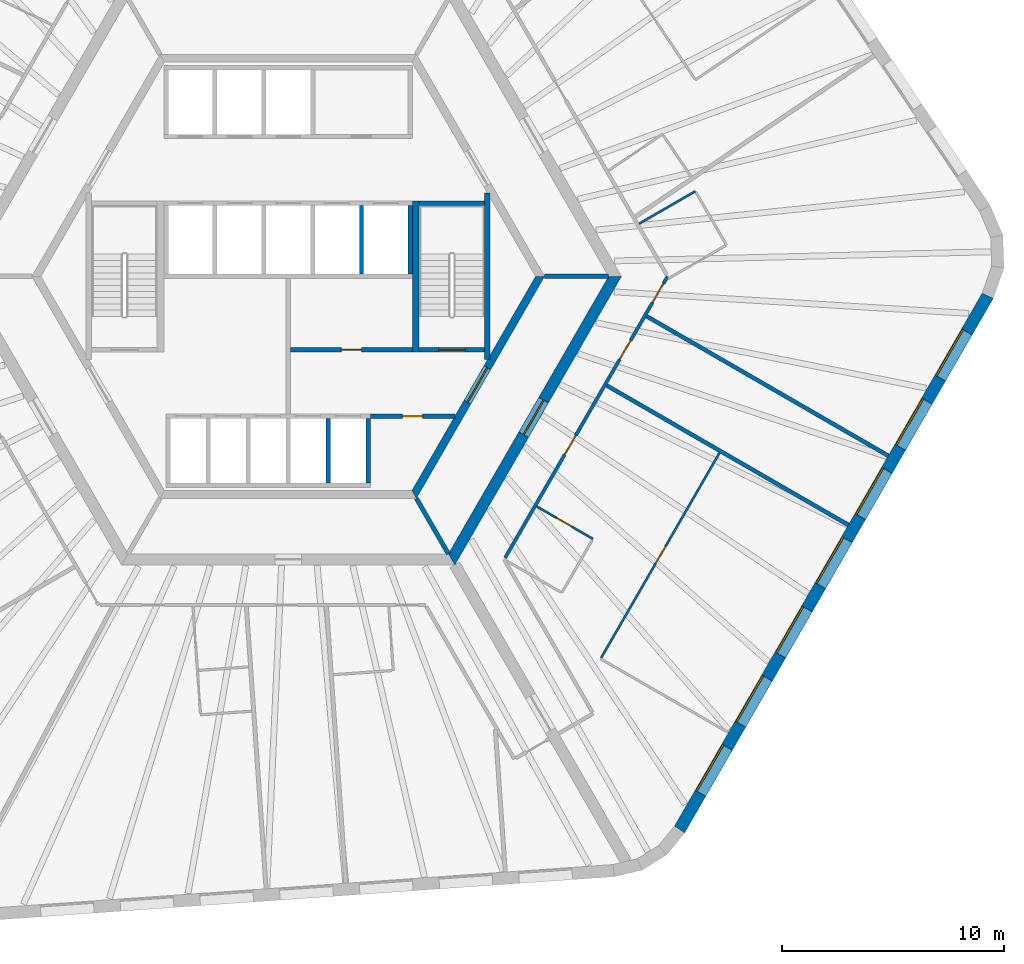
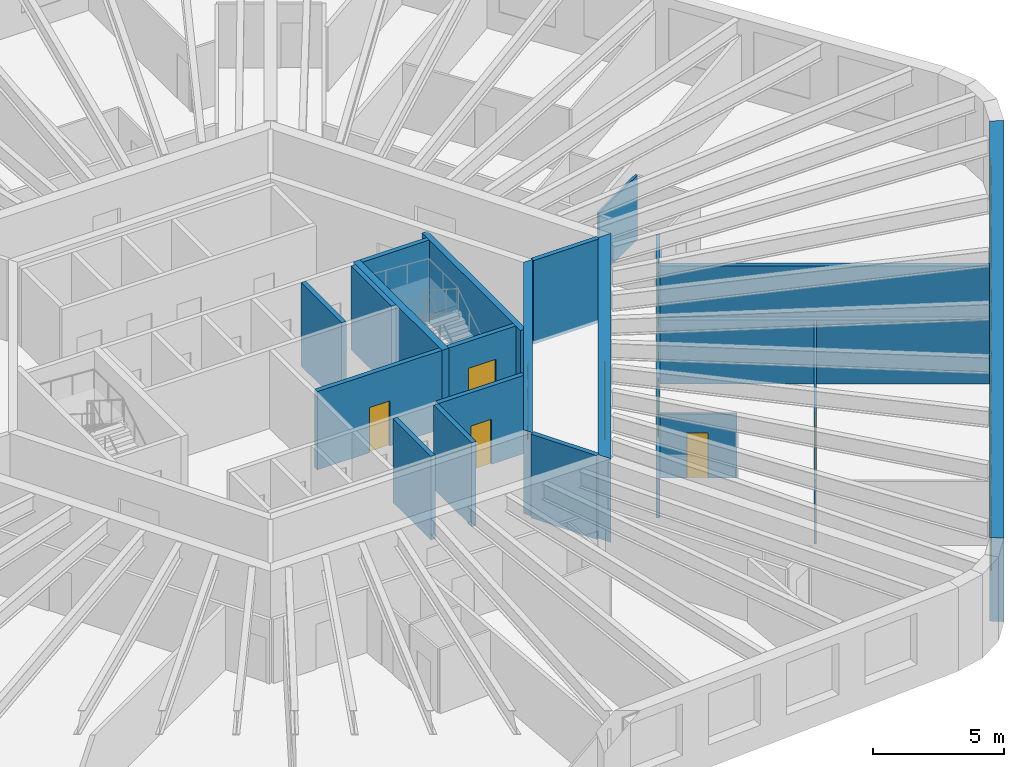
# One storey, part 5 of 9: 21 walls, 10 doors, 7 windows, 17 openings.
"""IFC4 building model written with IfcOpenShell, lengths in metres."""

import ifcopenshell
import ifcopenshell.guid

model = None  # the IFC model being written
_history = None  # IfcOwnerHistory: only IFC2X3 demands one
_inside = {}  # id of a spatial element -> (the spatial element, [elements in it])
_under = {}  # id of a project, library or spatial element -> (it, [spatial elements below it])
_declared = {}  # id of a project -> (the project, [libraries it declares])
_typed = {}  # id of a type object -> (the type object, [elements of that type])
_made_of = {}  # id of a material, layer set ... -> (it, [elements and type objects made of it])


def new_model(schema):
    """Start an empty IFC model of exactly this schema.

    Asked for "IFC4X3", IfcOpenShell would pick the latest addendum, in which some entities
    have other attributes; the version numbers below select the first issue.
    IFC2X3 requires an IfcOwnerHistory on every rooted entity: one is made here for all.
    """
    global model, _history
    if schema == "IFC4X3":
        model = ifcopenshell.file(schema_version=(4, 3, 0, 0))
    else:
        model = ifcopenshell.file(schema=schema)
    _inside.clear()
    _under.clear()
    _declared.clear()
    _typed.clear()
    _made_of.clear()
    _history = None
    if model.schema == "IFC2X3":
        org = make("IfcOrganization", Name="unknown")
        user = make(
            "IfcPersonAndOrganization",
            ThePerson=make("IfcPerson", FamilyName="unknown"),
            TheOrganization=org,
        )
        app = make(
            "IfcApplication",
            ApplicationDeveloper=org,
            Version="unknown",
            ApplicationFullName="unknown",
            ApplicationIdentifier="unknown",
        )
        _history = make(
            "IfcOwnerHistory",
            OwningUser=user,
            OwningApplication=app,
            ChangeAction="ADDED",
            CreationDate=0,
        )
    return model


def make(cls, **values):
    """One entity of the class cls with the attributes given. An attribute that is None is left unset."""
    return model.create_entity(
        cls, **{name: value for name, value in values.items() if value is not None}
    )


def rooted(cls, **values):
    """An entity with a GlobalId (a new one), such as an element, a storey or a relation."""
    return make(cls, GlobalId=ifcopenshell.guid.new(), OwnerHistory=_history, **values)


def si_unit(unit_type, name, prefix=None):
    """IfcSIUnit, for example si_unit("LENGTHUNIT", "METRE", prefix="MILLI")."""
    return make("IfcSIUnit", UnitType=unit_type, Prefix=prefix, Name=name)


def assignment(units):
    """IfcUnitAssignment: the units of a project."""
    return None if units is None else make("IfcUnitAssignment", Units=units)


def point(xyz):
    """IfcCartesianPoint."""
    return None if xyz is None else make("IfcCartesianPoint", Coordinates=xyz)


def direction(xyz):
    """IfcDirection."""
    return None if xyz is None else make("IfcDirection", DirectionRatios=xyz)


def frame(location, z_axis=None, x_axis=None):
    """IfcAxis2Placement3D, a coordinate frame: its origin and axes. An axis left out is left unset."""
    return make(
        "IfcAxis2Placement3D",
        Location=point(location),
        Axis=direction(z_axis),
        RefDirection=direction(x_axis),
    )


def frame_2d(location, x_axis=None):
    """IfcAxis2Placement2D, a coordinate frame in the plane: its origin and x axis."""
    return make(
        "IfcAxis2Placement2D", Location=point(location), RefDirection=direction(x_axis)
    )


def origin():
    """The frame at (0, 0, 0) with its axes left unset."""
    return frame((0.0, 0.0, 0.0))


def place(relative_to, where):
    """IfcLocalPlacement: puts the frame where relative to a parent placement (None: the world)."""
    return make(
        "IfcLocalPlacement", PlacementRelTo=relative_to, RelativePlacement=where
    )


def context(
    kind, dimensions, precision=None, world=None, true_north=None, identifier=None
):
    """IfcGeometricRepresentationContext, for example the 3D "Model" context."""
    return make(
        "IfcGeometricRepresentationContext",
        ContextIdentifier=identifier,
        ContextType=kind,
        CoordinateSpaceDimension=dimensions,
        Precision=precision,
        WorldCoordinateSystem=world,
        TrueNorth=true_north,
    )


def subcontext(parent, identifier, kind, view, scale=None):
    """IfcGeometricRepresentationSubContext, for example "Body" below "Model"."""
    return make(
        "IfcGeometricRepresentationSubContext",
        ContextIdentifier=identifier,
        ContextType=kind,
        ParentContext=parent,
        TargetScale=scale,
        TargetView=view,
    )


def project(units=None, contexts=None):
    """IfcProject with its units and contexts."""
    return rooted(
        "IfcProject",
        Name="project",
        RepresentationContexts=contexts,
        UnitsInContext=assignment(units),
    )


def spatial(cls, under=None, at=None, **own):
    """A site, building, storey or space (cls), placed at a placement, below another one or the project."""
    s = rooted(cls, ObjectPlacement=at, **own)
    if under is not None:
        _under.setdefault(under.id(), (under, []))[1].append(s)
    return s


def polyline(points):
    """IfcPolyline through the points."""
    return make("IfcPolyline", Points=[point(p) for p in points])


def profile(cls, at=None, kind="AREA", **sizes):
    """A parametric profile (cls). Its sizes go by their IFC names, for example OverallWidth=200.0."""
    return make(cls, ProfileType=kind, Position=at, **sizes)


def rectangle(**sizes):
    """IfcRectangleProfileDef."""
    return profile("IfcRectangleProfileDef", **sizes)


def outline(outer, holes=None, kind="AREA"):
    """IfcArbitraryClosedProfileDef: a profile drawn as a closed curve; with holes, ...WithVoids."""
    if holes is None:
        return make("IfcArbitraryClosedProfileDef", ProfileType=kind, OuterCurve=outer)
    return make(
        "IfcArbitraryProfileDefWithVoids",
        ProfileType=kind,
        OuterCurve=outer,
        InnerCurves=holes,
    )


def extrude(swept, where, along, depth):
    """IfcExtrudedAreaSolid: the profile swept, set in the frame where, extruded along a direction by depth."""
    return make(
        "IfcExtrudedAreaSolid",
        SweptArea=swept,
        Position=where,
        ExtrudedDirection=direction(along),
        Depth=depth,
    )


def shape(context_of_items, identifier, shape_type, items):
    """IfcShapeRepresentation: the items that make up one representation, for example the "Body"."""
    return make(
        "IfcShapeRepresentation",
        ContextOfItems=context_of_items,
        RepresentationIdentifier=identifier,
        RepresentationType=shape_type,
        Items=items,
    )


def material(Name=None, Category=None):
    """IfcMaterial."""
    return make("IfcMaterial", Name=Name, Category=Category)


def layer(
    of_material, thickness, ventilated=None, Name=None, Category=None, Priority=None
):
    """IfcMaterialLayer: one layer of a wall or slab, of a material (None: an air gap)."""
    return make(
        "IfcMaterialLayer",
        Material=of_material,
        LayerThickness=thickness,
        IsVentilated=ventilated,
        Name=Name,
        Category=Category,
        Priority=Priority,
    )


def layer_set(layers, Name=None):
    """IfcMaterialLayerSet."""
    return make("IfcMaterialLayerSet", MaterialLayers=layers, LayerSetName=Name)


def made_of(thing, what):
    """Note that an element or type object is made of a material, layer set ...; save() writes the relation."""
    if what is not None:
        _made_of.setdefault(what.id(), (what, []))[1].append(thing)
    return thing


def type_object(cls, material=None, **own):
    """A type object (cls), such as IfcWallType, which elements share."""
    return made_of(rooted(cls, **own), material)


def element(
    cls,
    number,
    at=None,
    inside=None,
    cuts=None,
    type_object=None,
    material=None,
    context=None,
    identifier="Body",
    shape_type=None,
    held_by="IfcProductDefinitionShape",
    body=None,
    shapes=None,
    **own,
):
    """One element of the class cls, such as IfcWall. Its Tag is "e" and its number.

    at: its placement. inside: the storey or other place that contains it. cuts: it is an
    opening in that element (IfcRelVoidsElement). A single representation is given by context,
    identifier, shape_type and body (its items); several are given by shapes. held_by: the class
    of the entity that holds the representations. save() writes the other relations.
    """
    e = rooted(cls, Tag="e%d" % number, ObjectPlacement=at, **own)
    if body is not None:
        shapes = [shape(context, identifier, shape_type, body)]
    if shapes is not None:
        e.Representation = make(held_by, Representations=shapes)
    if inside is not None:
        _inside.setdefault(inside.id(), (inside, []))[1].append(e)
    if cuts is not None:
        rooted(
            "IfcRelVoidsElement", RelatingBuildingElement=cuts, RelatedOpeningElement=e
        )
    if type_object is not None:
        _typed.setdefault(type_object.id(), (type_object, []))[1].append(e)
    return made_of(e, material)


def fill(opening, filler):
    """IfcRelFillsElement: the door or window that sits in an opening."""
    return rooted(
        "IfcRelFillsElement",
        RelatingOpeningElement=opening,
        RelatedBuildingElement=filler,
    )


def aggregate(whole, parts):
    """IfcRelAggregates: a whole, such as a stair, and the parts it consists of."""
    return rooted("IfcRelAggregates", RelatingObject=whole, RelatedObjects=parts)


def save(model, path):
    """Write the relations noted so far, then the file.

    IfcRelAggregates (storeys below a building ...), IfcRelContainedInSpatialStructure (elements
    in a storey), IfcRelDefinesByType, IfcRelAssociatesMaterial and IfcRelDeclares: one each for
    every whole, place, type object, material and project.
    """
    for whole, parts in _under.values():
        aggregate(whole, parts)
    for where, things in _inside.values():
        rooted(
            "IfcRelContainedInSpatialStructure",
            RelatedElements=things,
            RelatingStructure=where,
        )
    for kind, things in _typed.values():
        rooted("IfcRelDefinesByType", RelatedObjects=things, RelatingType=kind)
    for what, things in _made_of.values():
        rooted("IfcRelAssociatesMaterial", RelatedObjects=things, RelatingMaterial=what)
    for by, libraries in _declared.values():
        rooted("IfcRelDeclares", RelatingContext=by, RelatedDefinitions=libraries)
    model.write(path)


model = new_model("IFC4")

# Units and contexts
model_context = context("Model", 3, precision=1e-05, world=origin(), true_north=direction((0.0, 1.0)))
body_context = subcontext(model_context, "Body", "Model", "MODEL_VIEW")
ifc_project = project(units=[si_unit("LENGTHUNIT", "METRE"), si_unit("AREAUNIT", "SQUARE_METRE"), si_unit("VOLUMEUNIT", "CUBIC_METRE"), si_unit("PLANEANGLEUNIT", "RADIAN"), si_unit("MASSUNIT", "GRAM", prefix="KILO")], contexts=[model_context])

# Site, building, storey
site_placement = place(None, origin())
site = spatial("IfcSite", under=ifc_project, at=site_placement, CompositionType="ELEMENT")
building_placement = place(site_placement, origin())
building = spatial("IfcBuilding", under=site, at=building_placement, Name="Tarnside Tower", CompositionType="ELEMENT")
storey_placement = place(building_placement, frame((0.0, 0.0, 222.89990234375)))
storey = spatial("IfcBuildingStorey", under=building, at=storey_placement, Name="L53", CompositionType="ELEMENT", Elevation=222.89990234375)

# Wall, opening, door
ifc_material_1 = material(Name="Gypsum board partition on steel studs", Category="steel")
ifc_layer_1 = layer(ifc_material_1, 0.10009765625)
ifc_layer_set_1 = layer_set([ifc_layer_1], Name="Bathroom wall 100")
wall_type_1 = type_object("IfcWallType", Name="Bathroom wall 100", PredefinedType="PARTITIONING", material=ifc_layer_set_1)
wall_1_placement = place(storey_placement, frame((11.193359375, -10.362548828125, 0.0), z_axis=(0.0, 0.0, 1.0), x_axis=(0.865989585315, -0.500062034277, 0.0)))
wall_1 = element("IfcWall", 1, at=wall_1_placement, inside=storey, type_object=wall_type_1, Name="Bathroom wall 17081", PredefinedType="PARTITIONING", context=body_context, shape_type="SweptSolid", body=[
    extrude(rectangle(XDim=2.925048828125, YDim=0.10009765625, at=frame_2d((1.46240234375, 0.0))), origin(), (0.0, 0.0, 1.0), 2.98779296875),
])
opening_1_placement = place(wall_1_placement, frame((1.02490234375, 0.0, 0.0)))
opening_1 = element("IfcOpeningElement", 2, at=opening_1_placement, cuts=wall_1, Name="Opening D-B1", PredefinedType="OPENING", context=body_context, shape_type="SweptSolid", body=[
    extrude(rectangle(XDim=0.800048828125, YDim=2.10009765625, at=frame_2d((0.39990234375, 1.050048828125))), frame((0.0, 0.06005859375, 0.0), z_axis=(0.0, -1.0, 0.0), x_axis=(1.0, 0.0, 0.0)), (0.0, 0.0, 1.0), 0.1201171875),
])
ifc_material_2 = material(Name="Timber door leaf", Category="wood")
door_type_1 = type_object("IfcDoorType", Name="Bathroom door 800", OperationType="NOTDEFINED", PredefinedType="DOOR", material=ifc_material_2)
door_1_placement = place(opening_1_placement, origin())
door_1 = element("IfcDoor", 3, at=door_1_placement, inside=storey, type_object=door_type_1, Name="Bathroom door 17024", OperationType="SINGLE_SWING_RIGHT", OverallHeight=2.10009765625, OverallWidth=0.800048828125, PredefinedType="DOOR", context=body_context, shape_type="SweptSolid", body=[
    extrude(rectangle(XDim=0.800048828125, YDim=2.10009765625, at=frame_2d((0.39990234375, 1.050048828125))), frame((0.0, 0.02490234375, 0.0), z_axis=(0.0, -1.0, 0.0), x_axis=(1.0, 0.0, 0.0)), (0.0, 0.0, 1.0), 0.050048828125),
])
fill(opening_1, door_1)

# Wall
wall_2_placement = place(storey_placement, frame((15.806640625, 2.3720703125, 0.0), z_axis=(0.0, 0.0, 1.0), x_axis=(0.86601045545, 0.500025890382, 0.0)))
element("IfcWall", 4, at=wall_2_placement, inside=storey, type_object=wall_type_1, Name="Bathroom wall 17089", PredefinedType="PARTITIONING", context=body_context, shape_type="SweptSolid", body=[
    extrude(rectangle(XDim=2.925048828125, YDim=0.10009765625, at=frame_2d((1.46240234375, 0.0))), origin(), (0.0, 0.0, 1.0), 2.98779296875),
])

# Wall, opening, door
ifc_material_3 = material(Name="Concrete C50/60", Category="concrete")
ifc_layer_2 = layer(ifc_material_3, 0.35009765625)
ifc_layer_set_2 = layer_set([ifc_layer_2], Name="Core block wall 350 C50/60")
wall_type_2 = type_object("IfcWallType", Name="Core block wall 350 C50/60", PredefinedType="SHEAR", material=ifc_layer_set_2)
wall_3_placement = place(storey_placement, frame((5.672607421875, -9.824951171875, -0.14990234375), z_axis=(0.0, 0.0, 1.0), x_axis=(0.499995046907, 0.866028263435, 0.0)))
wall_3 = element("IfcWall", 5, at=wall_3_placement, inside=storey, type_object=wall_type_2, Name="L53 core block wall face 5", PredefinedType="SHEAR", context=body_context, shape_type="SweptSolid", body=[
    extrude(outline(polyline([(-0.10107421875, -0.175048828125), (11.44580078125, -0.175048828125), (11.24365234375, 0.175048828125), (0.10107421875, 0.175048828125), (-0.10107421875, -0.175048828125)])), origin(), (0.0, 0.0, 1.0), 3.89990234375),
])
opening_2_placement = place(wall_3_placement, frame((4.80126953125, 0.0, 0.14990234375)))
opening_2 = element("IfcOpeningElement", 6, at=opening_2_placement, cuts=wall_3, Name="Opening CD-FFL", PredefinedType="OPENING", context=body_context, shape_type="SweptSolid", body=[
    extrude(rectangle(XDim=1.800048828125, YDim=2.39990234375, at=frame_2d((0.89990234375, 1.199951171875))), frame((0.0, 0.18505859375, 0.0), z_axis=(0.0, -1.0, 0.0), x_axis=(1.0, 0.0, 0.0)), (0.0, 0.0, 1.0), 0.3701171875),
])
ifc_material_4 = material(Name="Steel fire door", Category="steel")
door_type_2 = type_object("IfcDoorType", Name="Firefighting lobby double door FD60S 1800x2400", OperationType="NOTDEFINED", PredefinedType="DOOR", material=ifc_material_4)
door_2_placement = place(opening_2_placement, origin())
door_2 = element("IfcDoor", 7, at=door_2_placement, inside=storey, type_object=door_type_2, Name="L53 lobby block door P4", OperationType="DOUBLE_DOOR_SINGLE_SWING", OverallHeight=2.39990234375, OverallWidth=1.800048828125, PredefinedType="DOOR", context=body_context, shape_type="SweptSolid", body=[
    extrude(rectangle(XDim=1.800048828125, YDim=2.39990234375, at=frame_2d((0.89990234375, 1.199951171875))), frame((0.0, 0.02490234375, 0.0), z_axis=(0.0, -1.0, 0.0), x_axis=(1.0, 0.0, 0.0)), (0.0, 0.0, 1.0), 0.050048828125),
])
fill(opening_2, door_2)

ifc_material_5 = material(Name="Concrete C40/50", Category="concrete")
ifc_layer_3 = layer(ifc_material_5, 0.199951171875)
ifc_layer_set_3 = layer_set([ifc_layer_3], Name="Core room partition 200 C40/50")
wall_type_3 = type_object("IfcWallType", Name="Core room partition 200 C40/50", PredefinedType="PARTITIONING", material=ifc_layer_set_3)
wall_4_placement = place(storey_placement, frame((0.10009765625, -3.300048828125, 0.0), z_axis=(0.0, 0.0, 1.0), x_axis=(1.0, 0.0, 0.0)))
wall_4 = element("IfcWall", 8, at=wall_4_placement, inside=storey, type_object=wall_type_3, Name="L53 core partition R3S1", PredefinedType="PARTITIONING", context=body_context, shape_type="SweptSolid", body=[
    extrude(rectangle(XDim=5.5, YDim=0.199951171875, at=frame_2d((2.75, 0.0))), origin(), (0.0, 0.0, 1.0), 3.650146484375),
])
opening_3_placement = place(wall_4_placement, frame((2.300048828125, 0.0, 0.0)))
opening_3 = element("IfcOpeningElement", 9, at=opening_3_placement, cuts=wall_4, Name="Opening CD-room", PredefinedType="OPENING", context=body_context, shape_type="SweptSolid", body=[
    extrude(rectangle(XDim=0.89990234375, YDim=2.10009765625, at=frame_2d((0.449951171875, 1.050048828125))), frame((0.0, 0.10986328125, 0.0), z_axis=(0.0, -1.0, 0.0), x_axis=(1.0, 0.0, 0.0)), (0.0, 0.0, 1.0), 0.219970703125),
])
door_type_3 = type_object("IfcDoorType", Name="Room door FD60 900x2100", OperationType="NOTDEFINED", PredefinedType="DOOR", material=ifc_material_4)
door_3_placement = place(opening_3_placement, origin())
door_3 = element("IfcDoor", 10, at=door_3_placement, inside=storey, type_object=door_type_3, Name="L53 core room door SR1", OperationType="SINGLE_SWING_LEFT", OverallHeight=2.10009765625, OverallWidth=0.89990234375, PredefinedType="DOOR", context=body_context, shape_type="SweptSolid", body=[
    extrude(rectangle(XDim=0.89990234375, YDim=2.10009765625, at=frame_2d((0.449951171875, 1.050048828125))), frame((0.0, 0.02490234375, 0.0), z_axis=(0.0, -1.0, 0.0), x_axis=(1.0, 0.0, 0.0)), (0.0, 0.0, 1.0), 0.050048828125),
])
fill(opening_3, door_3)

wall_5_placement = place(storey_placement, frame((3.699951171875, -6.300048828125, 0.0), z_axis=(0.0, 0.0, 1.0), x_axis=(1.0, 0.0, 0.0)))
wall_5 = element("IfcWall", 11, at=wall_5_placement, inside=storey, type_object=wall_type_3, Name="L53 core partition R4X", PredefinedType="PARTITIONING", context=body_context, shape_type="SweptSolid", body=[
    extrude(rectangle(XDim=3.8056640625, YDim=0.199951171875, at=frame_2d((1.90283203125, 0.0))), origin(), (0.0, 0.0, 1.0), 3.650146484375),
])
opening_4_placement = place(wall_5_placement, frame((1.452880859375, 0.0, 0.0)))
opening_4 = element("IfcOpeningElement", 12, at=opening_4_placement, cuts=wall_5, Name="Opening CD-room", PredefinedType="OPENING", context=body_context, shape_type="SweptSolid", body=[
    extrude(rectangle(XDim=0.89990234375, YDim=2.10009765625, at=frame_2d((0.449951171875, 1.050048828125))), frame((0.0, 0.10986328125, 0.0), z_axis=(0.0, -1.0, 0.0), x_axis=(1.0, 0.0, 0.0)), (0.0, 0.0, 1.0), 0.219970703125),
])
door_4_placement = place(opening_4_placement, origin())
door_4 = element("IfcDoor", 13, at=door_4_placement, inside=storey, type_object=door_type_3, Name="L53 core room door RX", OperationType="SINGLE_SWING_LEFT", OverallHeight=2.10009765625, OverallWidth=0.89990234375, PredefinedType="DOOR", context=body_context, shape_type="SweptSolid", body=[
    extrude(rectangle(XDim=0.89990234375, YDim=2.10009765625, at=frame_2d((0.449951171875, 1.050048828125))), frame((0.0, 0.02490234375, 0.0), z_axis=(0.0, -1.0, 0.0), x_axis=(1.0, 0.0, 0.0)), (0.0, 0.0, 1.0), 0.050048828125),
])
fill(opening_4, door_4)

ifc_material_6 = material(Name="Concrete C70/85", Category="concrete")
ifc_layer_4 = layer(ifc_material_6, 0.5)
ifc_layer_set_4 = layer_set([ifc_layer_4], Name="Core wall Z2 500 C70/85")
wall_type_4 = type_object("IfcWallType", Name="Core wall Z2 500 C70/85", PredefinedType="SHEAR", material=ifc_layer_set_4)
wall_6_placement = place(storey_placement, frame((7.361083984375, -12.75, -0.14990234375), z_axis=(0.0, 0.0, 1.0), x_axis=(0.50000571537, 0.866022103989, 0.0)))
wall_6 = element("IfcWall", 14, at=wall_6_placement, inside=storey, type_object=wall_type_4, Name="L53 core wall face 5", PredefinedType="SHEAR", context=body_context, shape_type="SweptSolid", body=[
    extrude(outline(polyline([(-0.144287109375, -0.25), (14.86669921875, -0.25), (14.578125, 0.25), (0.144287109375, 0.25), (-0.144287109375, -0.25)])), origin(), (0.0, 0.0, 1.0), 3.89990234375),
])
opening_5_placement = place(wall_6_placement, frame((6.489990234375, 0.0, 0.14990234375)))
opening_5 = element("IfcOpeningElement", 15, at=opening_5_placement, cuts=wall_6, Name="Opening CD-FFL", PredefinedType="OPENING", context=body_context, shape_type="SweptSolid", body=[
    extrude(rectangle(XDim=1.800048828125, YDim=2.39990234375, at=frame_2d((0.89990234375, 1.199951171875))), frame((0.0, 0.260009765625, 0.0), z_axis=(0.0, -1.0, 0.0), x_axis=(1.0, 0.0, 0.0)), (0.0, 0.0, 1.0), 0.52001953125),
])
door_5_placement = place(opening_5_placement, origin())
door_5 = element("IfcDoor", 16, at=door_5_placement, inside=storey, type_object=door_type_2, Name="L53 core door P4", OperationType="DOUBLE_DOOR_SINGLE_SWING", OverallHeight=2.39990234375, OverallWidth=1.800048828125, PredefinedType="DOOR", context=body_context, shape_type="SweptSolid", body=[
    extrude(rectangle(XDim=1.800048828125, YDim=2.39990234375, at=frame_2d((0.89990234375, 1.199951171875))), frame((0.0, 0.02490234375, 0.0), z_axis=(0.0, -1.0, 0.0), x_axis=(1.0, 0.0, 0.0)), (0.0, 0.0, 1.0), 0.050048828125),
])
fill(opening_5, door_5)

# Wall, openings, doors
ifc_layer_5 = layer(ifc_material_1, 0.14990234375)
ifc_layer_set_5 = layer_set([ifc_layer_5], Name="Corridor wall 150 EI 60")
wall_type_5 = type_object("IfcWallType", Name="Corridor wall 150 EI 60", PredefinedType="PARTITIONING", material=ifc_layer_set_5)
wall_7_placement = place(storey_placement, frame((9.771728515625, -12.675048828125, 0.0), z_axis=(0.0, 0.0, 1.0), x_axis=(0.499996322767, 0.866027526826, 0.0)))
wall_7 = element("IfcWall", 17, at=wall_7_placement, inside=storey, type_object=wall_type_5, Name="Corridor wall 17033", PredefinedType="PARTITIONING", context=body_context, shape_type="SweptSolid", body=[
    extrude(rectangle(XDim=14.6357421875, YDim=0.14990234375, at=frame_2d((7.31787109375, 0.0))), origin(), (0.0, 0.0, 1.0), 2.98779296875),
])
opening_6_placement = place(wall_7_placement, frame((5.361083984375, 0.0, 0.0)))
opening_6 = element("IfcOpeningElement", 18, at=opening_6_placement, cuts=wall_7, Name="Opening D-E1", PredefinedType="OPENING", context=body_context, shape_type="SweptSolid", body=[
    extrude(rectangle(XDim=1.0, YDim=2.10009765625, at=frame_2d((0.5, 1.050048828125))), frame((0.0, 0.0849609375, 0.0), z_axis=(0.0, -1.0, 0.0), x_axis=(1.0, 0.0, 0.0)), (0.0, 0.0, 1.0), 0.169921875),
])
opening_7_placement = place(wall_7_placement, frame((10.308837890625, 0.0, 0.0)))
opening_7 = element("IfcOpeningElement", 19, at=opening_7_placement, cuts=wall_7, Name="Opening D-E1", PredefinedType="OPENING", context=body_context, shape_type="SweptSolid", body=[
    extrude(rectangle(XDim=1.0, YDim=2.10009765625, at=frame_2d((0.5, 1.050048828125))), frame((0.0, 0.0849609375, 0.0), z_axis=(0.0, -1.0, 0.0), x_axis=(1.0, 0.0, 0.0)), (0.0, 0.0, 1.0), 0.169921875),
])
opening_8_placement = place(wall_7_placement, frame((13.277587890625, 0.0, 0.0)))
opening_8 = element("IfcOpeningElement", 20, at=opening_8_placement, cuts=wall_7, Name="Opening D-E1", PredefinedType="OPENING", context=body_context, shape_type="SweptSolid", body=[
    extrude(rectangle(XDim=1.0, YDim=2.10009765625, at=frame_2d((0.5, 1.050048828125))), frame((0.0, 0.0849609375, 0.0), z_axis=(0.0, -1.0, 0.0), x_axis=(1.0, 0.0, 0.0)), (0.0, 0.0, 1.0), 0.169921875),
])
door_type_4 = type_object("IfcDoorType", Name="Unit entrance door 1000 FD30S", OperationType="NOTDEFINED", PredefinedType="DOOR", material=ifc_material_2)
door_6_placement = place(opening_6_placement, origin())
door_6 = element("IfcDoor", 21, at=door_6_placement, inside=storey, type_object=door_type_4, Name="Unit door 17023", OperationType="SINGLE_SWING_LEFT", OverallHeight=2.10009765625, OverallWidth=1.0, PredefinedType="DOOR", context=body_context, shape_type="SweptSolid", body=[
    extrude(rectangle(XDim=1.0, YDim=2.10009765625, at=frame_2d((0.5, 1.050048828125))), frame((0.0, 0.02490234375, 0.0), z_axis=(0.0, -1.0, 0.0), x_axis=(1.0, 0.0, 0.0)), (0.0, 0.0, 1.0), 0.050048828125),
])
fill(opening_6, door_6)
door_7_placement = place(opening_7_placement, origin())
door_7 = element("IfcDoor", 22, at=door_7_placement, inside=storey, type_object=door_type_4, Name="Unit door 17026", OperationType="SINGLE_SWING_LEFT", OverallHeight=2.10009765625, OverallWidth=1.0, PredefinedType="DOOR", context=body_context, shape_type="SweptSolid", body=[
    extrude(rectangle(XDim=1.0, YDim=2.10009765625, at=frame_2d((0.5, 1.050048828125))), frame((0.0, 0.02490234375, 0.0), z_axis=(0.0, -1.0, 0.0), x_axis=(1.0, 0.0, 0.0)), (0.0, 0.0, 1.0), 0.050048828125),
])
fill(opening_7, door_7)
door_8_placement = place(opening_8_placement, origin())
door_8 = element("IfcDoor", 23, at=door_8_placement, inside=storey, type_object=door_type_4, Name="Unit door 17027", OperationType="SINGLE_SWING_LEFT", OverallHeight=2.10009765625, OverallWidth=1.0, PredefinedType="DOOR", context=body_context, shape_type="SweptSolid", body=[
    extrude(rectangle(XDim=1.0, YDim=2.10009765625, at=frame_2d((0.5, 1.050048828125))), frame((0.0, 0.02490234375, 0.0), z_axis=(0.0, -1.0, 0.0), x_axis=(1.0, 0.0, 0.0)), (0.0, 0.0, 1.0), 0.050048828125),
])
fill(opening_8, door_8)

# Walls
ifc_layer_6 = layer(ifc_material_1, 0.179931640625)
ifc_layer_set_6 = layer_set([ifc_layer_6], Name="Demising wall 180 EI 60")
wall_type_6 = type_object("IfcWallType", Name="Demising wall 180 EI 60", PredefinedType="PARTITIONING", material=ifc_layer_set_6)
wall_8_placement = place(storey_placement, frame((25.2314453125, -11.197998046875, 0.0), z_axis=(0.0, 0.0, 1.0), x_axis=(-0.866032662629, 0.499987427101, 0.0)))
element("IfcWall", 24, at=wall_8_placement, inside=storey, type_object=wall_type_6, Name="Demising wall 17086", PredefinedType="PARTITIONING", context=body_context, shape_type="SweptSolid", body=[
    extrude(rectangle(XDim=12.574951171875, YDim=0.179931640625, at=frame_2d((6.28759765625, 0.0))), origin(), (0.0, 0.0, 1.0), 2.98779296875),
])
wall_9_placement = place(storey_placement, frame((27.03125, -8.080322265625, 0.0), z_axis=(0.0, 0.0, 1.0), x_axis=(-0.86602780907, 0.499995833901, 0.0)))
element("IfcWall", 25, at=wall_9_placement, inside=storey, type_object=wall_type_6, Name="Demising wall 17088", PredefinedType="PARTITIONING", context=body_context, shape_type="SweptSolid", body=[
    extrude(rectangle(XDim=12.57470703125, YDim=0.179931640625, at=frame_2d((6.287353515625, 0.0))), origin(), (0.0, 0.0, 1.0), 2.98779296875),
])
ifc_layer_7 = layer(ifc_material_5, 0.199951171875)
ifc_layer_set_7 = layer_set([ifc_layer_7], Name="Lift shaft wall 200 C40/50")
wall_type_7 = type_object("IfcWallType", Name="Lift shaft wall 200 C40/50", PredefinedType="SHEAR", material=ifc_layer_set_7)
for number, where, z_axis, x_axis, name in (
    (26, (3.300048828125, 0.10009765625, -0.25), (0.0, 0.0, 1.0), (0.0, 1.0, 0.0), "L53 lift shaft partition R25"),
    (27, (5.5, 0.10009765625, -0.25), (0.0, 0.0, 1.0), (0.0, 1.0, 0.0), "L53 lift shaft partition R26"),
):
    element("IfcWall", number, at=place(storey_placement, frame(where, z_axis=z_axis, x_axis=x_axis)), inside=storey, type_object=wall_type_7, Name=name, PredefinedType="SHEAR", context=body_context, shape_type="SweptSolid", body=[
        extrude(rectangle(XDim=3.099853515625, YDim=0.199951171875, at=frame_2d((1.5498046875, 0.0))), origin(), (0.0, 0.0, 1.0), 3.900146484375),
    ])
for number, where, z_axis, x_axis, name in (
    (28, (1.800048828125, -9.300048828125, -0.25), (0.0, 0.0, 1.0), (0.0, 1.0, 0.0), "L53 lift shaft partition R45"),
    (29, (3.60009765625, -9.300048828125, -0.25), (0.0, 0.0, 1.0), (0.0, 1.0, 0.0), "L53 lift shaft partition R46"),
):
    element("IfcWall", number, at=place(storey_placement, frame(where, z_axis=z_axis, x_axis=x_axis)), inside=storey, type_object=wall_type_7, Name=name, PredefinedType="SHEAR", context=body_context, shape_type="SweptSolid", body=[
        extrude(rectangle(XDim=2.900146484375, YDim=0.199951171875, at=frame_2d((1.4501953125, 0.0))), origin(), (0.0, 0.0, 1.0), 3.900146484375),
    ])
for number, where, z_axis, x_axis, name in (
    (30, (11.547119140625, 0.0, -0.14990234375), (0.0, 0.0, 1.0), (1.0, 0.0, 0.0), "L53 core partition AR0"),
    (31, (5.7734375, -10.0, -0.14990234375), (0.0, 0.0, 1.0), (0.499995765644, -0.866027848477, 0.0), "L53 core partition AR300"),
):
    element("IfcWall", number, at=place(storey_placement, frame(where, z_axis=z_axis, x_axis=x_axis)), inside=storey, type_object=wall_type_7, Name=name, PredefinedType="SHEAR", context=body_context, shape_type="SweptSolid", body=[
        extrude(rectangle(XDim=2.88671875, YDim=0.199951171875, at=frame_2d((1.443359375, 0.0))), origin(), (0.0, 0.0, 1.0), 3.89990234375),
    ])
wall_10_placement = place(storey_placement, frame((5.89990234375, 3.300048828125, -0.25), z_axis=(0.0, 0.0, 1.0), x_axis=(1.0, 0.0, 0.0)))
element("IfcWall", 32, at=wall_10_placement, inside=storey, type_object=wall_type_7, Name="L53 stair 1 enclosure cap wall n", PredefinedType="SHEAR", context=body_context, shape_type="SweptSolid", body=[
    extrude(rectangle(XDim=2.9501953125, YDim=0.199951171875, at=frame_2d((1.47509765625, 0.0))), origin(), (0.0, 0.0, 1.0), 3.900146484375),
])

# Wall, opening, door
wall_11_placement = place(storey_placement, frame((5.89990234375, -3.300048828125, -0.25), z_axis=(0.0, 0.0, 1.0), x_axis=(1.0, 0.0, 0.0)))
wall_11 = element("IfcWall", 33, at=wall_11_placement, inside=storey, type_object=wall_type_7, Name="L53 stair 1 enclosure cap wall s", PredefinedType="SHEAR", context=body_context, shape_type="SweptSolid", body=[
    extrude(rectangle(XDim=2.9501953125, YDim=0.199951171875, at=frame_2d((1.47509765625, 0.0))), origin(), (0.0, 0.0, 1.0), 3.900146484375),
])
opening_9_placement = place(wall_11_placement, frame((0.875, 0.0, 0.25)))
opening_9 = element("IfcOpeningElement", 34, at=opening_9_placement, cuts=wall_11, Name="Opening CD-STR", PredefinedType="OPENING", context=body_context, shape_type="SweptSolid", body=[
    extrude(rectangle(XDim=1.199951171875, YDim=2.39990234375, at=frame_2d((0.60009765625, 1.199951171875))), frame((0.0, 0.10986328125, 0.0), z_axis=(0.0, -1.0, 0.0), x_axis=(1.0, 0.0, 0.0)), (0.0, 0.0, 1.0), 0.219970703125),
])
door_type_5 = type_object("IfcDoorType", Name="Stair door FD60S 1200x2400", OperationType="NOTDEFINED", PredefinedType="DOOR", material=ifc_material_4)
door_9_placement = place(opening_9_placement, origin())
door_9 = element("IfcDoor", 35, at=door_9_placement, inside=storey, type_object=door_type_5, Name="L53 stair 1 door", OperationType="SINGLE_SWING_LEFT", OverallHeight=2.39990234375, OverallWidth=1.199951171875, PredefinedType="DOOR", context=body_context, shape_type="SweptSolid", body=[
    extrude(rectangle(XDim=1.199951171875, YDim=2.39990234375, at=frame_2d((0.60009765625, 1.199951171875))), frame((0.0, 0.02490234375, 0.0), z_axis=(0.0, -1.0, 0.0), x_axis=(1.0, 0.0, 0.0)), (0.0, 0.0, 1.0), 0.050048828125),
])
fill(opening_9, door_9)

ifc_layer_8 = layer(ifc_material_1, 0.10009765625)
ifc_layer_set_8 = layer_set([ifc_layer_8], Name="Partition 100")
wall_type_8 = type_object("IfcWallType", Name="Partition 100", PredefinedType="PARTITIONING", material=ifc_layer_set_8)
wall_12_placement = place(storey_placement, frame((14.09716796875, -17.182861328125, 0.0), z_axis=(0.0, 0.0, 1.0), x_axis=(0.500001321243, 0.866024640963, 0.0)))
wall_12 = element("IfcWall", 36, at=wall_12_placement, inside=storey, type_object=wall_type_8, Name="Partition wall 17085", PredefinedType="PARTITIONING", context=body_context, shape_type="SweptSolid", body=[
    extrude(rectangle(XDim=10.66015625, YDim=0.10009765625, at=frame_2d((5.330078125, 0.0))), origin(), (0.0, 0.0, 1.0), 2.98779296875),
])
opening_10_placement = place(wall_12_placement, frame((4.89990234375, 0.0, 0.0)))
opening_10 = element("IfcOpeningElement", 37, at=opening_10_placement, cuts=wall_12, Name="Opening D-I1", PredefinedType="OPENING", context=body_context, shape_type="SweptSolid", body=[
    extrude(rectangle(XDim=0.89990234375, YDim=2.10009765625, at=frame_2d((0.449951171875, 1.050048828125))), frame((0.0, 0.06005859375, 0.0), z_axis=(0.0, -1.0, 0.0), x_axis=(1.0, 0.0, 0.0)), (0.0, 0.0, 1.0), 0.1201171875),
])
door_type_6 = type_object("IfcDoorType", Name="Internal door 900", OperationType="NOTDEFINED", PredefinedType="DOOR", material=ifc_material_2)
door_10_placement = place(opening_10_placement, origin())
door_10 = element("IfcDoor", 38, at=door_10_placement, inside=storey, type_object=door_type_6, Name="Internal door 17025", OperationType="SINGLE_SWING_LEFT", OverallHeight=2.10009765625, OverallWidth=0.89990234375, PredefinedType="DOOR", context=body_context, shape_type="SweptSolid", body=[
    extrude(rectangle(XDim=0.89990234375, YDim=2.10009765625, at=frame_2d((0.449951171875, 1.050048828125))), frame((0.0, 0.02490234375, 0.0), z_axis=(0.0, -1.0, 0.0), x_axis=(1.0, 0.0, 0.0)), (0.0, 0.0, 1.0), 0.050048828125),
])
fill(opening_10, door_10)

# Walls
ifc_layer_9 = layer(ifc_material_5, 0.25)
ifc_layer_set_9 = layer_set([ifc_layer_9], Name="Stair enclosure wall 250 C40/50")
wall_type_9 = type_object("IfcWallType", Name="Stair enclosure wall 250 C40/50", PredefinedType="SHEAR", material=ifc_layer_set_9)
wall_13_placement = place(storey_placement, frame((8.97509765625, -3.7548828125, -0.25), z_axis=(0.0, 0.0, 1.0), x_axis=(0.0, 1.0, 0.0)))
element("IfcWall", 39, at=wall_13_placement, inside=storey, type_object=wall_type_9, Name="L53 stair 1 enclosure wall outer", PredefinedType="SHEAR", context=body_context, shape_type="SweptSolid", body=[
    extrude(rectangle(XDim=7.509765625, YDim=0.25, at=frame_2d((3.7548828125, 0.0))), origin(), (0.0, 0.0, 1.0), 3.900146484375),
])
ifc_layer_10 = layer(ifc_material_5, 0.300048828125)
ifc_layer_set_10 = layer_set([ifc_layer_10], Name="Stair enclosure wall 300 C40/50")
wall_type_10 = type_object("IfcWallType", Name="Stair enclosure wall 300 C40/50", PredefinedType="SHEAR", material=ifc_layer_set_10)
wall_14_placement = place(storey_placement, frame((5.75, -3.39990234375, -0.25), z_axis=(0.0, 0.0, 1.0), x_axis=(0.0, 1.0, 0.0)))
element("IfcWall", 40, at=wall_14_placement, inside=storey, type_object=wall_type_10, Name="L53 stair 1 enclosure wall inner", PredefinedType="SHEAR", context=body_context, shape_type="SweptSolid", body=[
    extrude(rectangle(XDim=6.7998046875, YDim=0.300048828125, at=frame_2d((3.39990234375, 0.0))), origin(), (0.0, 0.0, 1.0), 3.900146484375),
])

# Wall, openings, windows
ifc_material_7 = material(Name="Facing brick", Category="masonry")
ifc_layer_11 = layer(ifc_material_7, 0.10205078125)
ifc_material_8 = material(Name="Concrete C60/75 precast", Category="concrete")
ifc_layer_12 = layer(ifc_material_8, 0.347900390625)
ifc_material_9 = material(Name="Mineral wool insulation")
ifc_layer_13 = layer(ifc_material_9, 0.10009765625)
ifc_layer_set_11 = layer_set([ifc_layer_11, ifc_layer_12, ifc_layer_13], Name="Tube wall 550 brick faced")
wall_type_11 = type_object("IfcWallType", Name="Tube wall 550 brick faced", PredefinedType="SOLIDWALL", material=ifc_layer_set_11)
wall_15_placement = place(storey_placement, frame((17.630126953125, -24.913818359375, -0.14990234375), z_axis=(0.0, 0.0, 1.0), x_axis=(0.499998569178, 0.866026229868, 0.0)))
wall_15 = element("IfcWall", 41, at=wall_15_placement, inside=storey, type_object=wall_type_11, Name="Tube wall L53 F5 flush 16", PredefinedType="SOLIDWALL", context=body_context, shape_type="SweptSolid", body=[
    extrude(outline(polyline([(-0.0224609375, -0.27490234375), (27.783447265625, -0.27490234375), (27.732177734375, 0.27490234375), (0.0224609375, 0.27490234375), (-0.0224609375, -0.27490234375)])), origin(), (0.0, 0.0, 1.0), 3.89990234375),
])
opening_11_placement = place(wall_15_placement, frame((1.87890625, 0.0, 1.050048828125)))
opening_11 = element("IfcOpeningElement", 42, at=opening_11_placement, cuts=wall_15, Name="Opening WH", PredefinedType="OPENING", context=body_context, shape_type="SweptSolid", body=[
    extrude(rectangle(XDim=2.39990234375, YDim=2.39990234375, at=frame_2d((1.199951171875, 1.199951171875))), frame((0.0, 0.28515625, 0.0), z_axis=(0.0, -1.0, 0.0), x_axis=(1.0, 0.0, 0.0)), (0.0, 0.0, 1.0), 0.570068359375),
])
opening_12_placement = place(wall_15_placement, frame((5.47900390625, 0.0, 1.050048828125)))
opening_12 = element("IfcOpeningElement", 43, at=opening_12_placement, cuts=wall_15, Name="Opening WH", PredefinedType="OPENING", context=body_context, shape_type="SweptSolid", body=[
    extrude(rectangle(XDim=2.39990234375, YDim=2.39990234375, at=frame_2d((1.199951171875, 1.199951171875))), frame((0.0, 0.28515625, 0.0), z_axis=(0.0, -1.0, 0.0), x_axis=(1.0, 0.0, 0.0)), (0.0, 0.0, 1.0), 0.570068359375),
])
opening_13_placement = place(wall_15_placement, frame((9.078857421875, 0.0, 1.050048828125)))
opening_13 = element("IfcOpeningElement", 44, at=opening_13_placement, cuts=wall_15, Name="Opening WH", PredefinedType="OPENING", context=body_context, shape_type="SweptSolid", body=[
    extrude(rectangle(XDim=2.39990234375, YDim=2.39990234375, at=frame_2d((1.199951171875, 1.199951171875))), frame((0.0, 0.28515625, 0.0), z_axis=(0.0, -1.0, 0.0), x_axis=(1.0, 0.0, 0.0)), (0.0, 0.0, 1.0), 0.570068359375),
])
opening_14_placement = place(wall_15_placement, frame((12.678955078125, 0.0, 1.050048828125)))
opening_14 = element("IfcOpeningElement", 45, at=opening_14_placement, cuts=wall_15, Name="Opening WH", PredefinedType="OPENING", context=body_context, shape_type="SweptSolid", body=[
    extrude(rectangle(XDim=2.39990234375, YDim=2.39990234375, at=frame_2d((1.199951171875, 1.199951171875))), frame((0.0, 0.28515625, 0.0), z_axis=(0.0, -1.0, 0.0), x_axis=(1.0, 0.0, 0.0)), (0.0, 0.0, 1.0), 0.570068359375),
])
opening_15_placement = place(wall_15_placement, frame((16.27880859375, 0.0, 1.050048828125)))
opening_15 = element("IfcOpeningElement", 46, at=opening_15_placement, cuts=wall_15, Name="Opening WH", PredefinedType="OPENING", context=body_context, shape_type="SweptSolid", body=[
    extrude(rectangle(XDim=2.39990234375, YDim=2.39990234375, at=frame_2d((1.199951171875, 1.199951171875))), frame((0.0, 0.28515625, 0.0), z_axis=(0.0, -1.0, 0.0), x_axis=(1.0, 0.0, 0.0)), (0.0, 0.0, 1.0), 0.570068359375),
])
opening_16_placement = place(wall_15_placement, frame((19.87890625, 0.0, 1.050048828125)))
opening_16 = element("IfcOpeningElement", 47, at=opening_16_placement, cuts=wall_15, Name="Opening WH", PredefinedType="OPENING", context=body_context, shape_type="SweptSolid", body=[
    extrude(rectangle(XDim=2.39990234375, YDim=2.39990234375, at=frame_2d((1.199951171875, 1.199951171875))), frame((0.0, 0.28515625, 0.0), z_axis=(0.0, -1.0, 0.0), x_axis=(1.0, 0.0, 0.0)), (0.0, 0.0, 1.0), 0.570068359375),
])
opening_17_placement = place(wall_15_placement, frame((23.47900390625, 0.0, 1.050048828125)))
opening_17 = element("IfcOpeningElement", 48, at=opening_17_placement, cuts=wall_15, Name="Opening WH", PredefinedType="OPENING", context=body_context, shape_type="SweptSolid", body=[
    extrude(rectangle(XDim=2.39990234375, YDim=2.39990234375, at=frame_2d((1.199951171875, 1.199951171875))), frame((0.0, 0.28515625, 0.0), z_axis=(0.0, -1.0, 0.0), x_axis=(1.0, 0.0, 0.0)), (0.0, 0.0, 1.0), 0.570068359375),
])
ifc_material_10 = material(Name="Aluminium-framed double glazing", Category="aluminium")
window_type = type_object("IfcWindowType", Name="Hotel window 2400 x 2400", PartitioningType="DOUBLE_PANEL_VERTICAL", PredefinedType="WINDOW", material=ifc_material_10)
window_1_placement = place(opening_11_placement, frame((0.0, 0.205078125, 0.0)))
window_1 = element("IfcWindow", 49, at=window_1_placement, inside=storey, type_object=window_type, Name="E.WN.L53.F5.00", OverallHeight=2.39990234375, OverallWidth=2.39990234375, PartitioningType="DOUBLE_PANEL_VERTICAL", PredefinedType="WINDOW", context=body_context, shape_type="SweptSolid", body=[
    extrude(rectangle(XDim=2.39990234375, YDim=2.39990234375, at=frame_2d((1.199951171875, 1.199951171875))), frame((0.0, 0.030029296875, 0.0), z_axis=(0.0, -1.0, 0.0), x_axis=(1.0, 0.0, 0.0)), (0.0, 0.0, 1.0), 0.06005859375),
])
fill(opening_11, window_1)
window_2_placement = place(opening_12_placement, frame((0.0, 0.205078125, 0.0)))
window_2 = element("IfcWindow", 50, at=window_2_placement, inside=storey, type_object=window_type, Name="E.WN.L53.F5.01", OverallHeight=2.39990234375, OverallWidth=2.39990234375, PartitioningType="DOUBLE_PANEL_VERTICAL", PredefinedType="WINDOW", context=body_context, shape_type="SweptSolid", body=[
    extrude(rectangle(XDim=2.39990234375, YDim=2.39990234375, at=frame_2d((1.199951171875, 1.199951171875))), frame((0.0, 0.030029296875, 0.0), z_axis=(0.0, -1.0, 0.0), x_axis=(1.0, 0.0, 0.0)), (0.0, 0.0, 1.0), 0.06005859375),
])
fill(opening_12, window_2)
window_3_placement = place(opening_13_placement, frame((0.0, 0.205078125, 0.0)))
window_3 = element("IfcWindow", 51, at=window_3_placement, inside=storey, type_object=window_type, Name="E.WN.L53.F5.02", OverallHeight=2.39990234375, OverallWidth=2.39990234375, PartitioningType="DOUBLE_PANEL_VERTICAL", PredefinedType="WINDOW", context=body_context, shape_type="SweptSolid", body=[
    extrude(rectangle(XDim=2.39990234375, YDim=2.39990234375, at=frame_2d((1.199951171875, 1.199951171875))), frame((0.0, 0.030029296875, 0.0), z_axis=(0.0, -1.0, 0.0), x_axis=(1.0, 0.0, 0.0)), (0.0, 0.0, 1.0), 0.06005859375),
])
fill(opening_13, window_3)
window_4_placement = place(opening_14_placement, frame((0.0, 0.205078125, 0.0)))
window_4 = element("IfcWindow", 52, at=window_4_placement, inside=storey, type_object=window_type, Name="E.WN.L53.F5.03", OverallHeight=2.39990234375, OverallWidth=2.39990234375, PartitioningType="DOUBLE_PANEL_VERTICAL", PredefinedType="WINDOW", context=body_context, shape_type="SweptSolid", body=[
    extrude(rectangle(XDim=2.39990234375, YDim=2.39990234375, at=frame_2d((1.199951171875, 1.199951171875))), frame((0.0, 0.030029296875, 0.0), z_axis=(0.0, -1.0, 0.0), x_axis=(1.0, 0.0, 0.0)), (0.0, 0.0, 1.0), 0.06005859375),
])
fill(opening_14, window_4)
window_5_placement = place(opening_15_placement, frame((0.0, 0.205078125, 0.0)))
window_5 = element("IfcWindow", 53, at=window_5_placement, inside=storey, type_object=window_type, Name="E.WN.L53.F5.04", OverallHeight=2.39990234375, OverallWidth=2.39990234375, PartitioningType="DOUBLE_PANEL_VERTICAL", PredefinedType="WINDOW", context=body_context, shape_type="SweptSolid", body=[
    extrude(rectangle(XDim=2.39990234375, YDim=2.39990234375, at=frame_2d((1.199951171875, 1.199951171875))), frame((0.0, 0.030029296875, 0.0), z_axis=(0.0, -1.0, 0.0), x_axis=(1.0, 0.0, 0.0)), (0.0, 0.0, 1.0), 0.06005859375),
])
fill(opening_15, window_5)
window_6_placement = place(opening_16_placement, frame((0.0, 0.205078125, 0.0)))
window_6 = element("IfcWindow", 54, at=window_6_placement, inside=storey, type_object=window_type, Name="E.WN.L53.F5.05", OverallHeight=2.39990234375, OverallWidth=2.39990234375, PartitioningType="DOUBLE_PANEL_VERTICAL", PredefinedType="WINDOW", context=body_context, shape_type="SweptSolid", body=[
    extrude(rectangle(XDim=2.39990234375, YDim=2.39990234375, at=frame_2d((1.199951171875, 1.199951171875))), frame((0.0, 0.030029296875, 0.0), z_axis=(0.0, -1.0, 0.0), x_axis=(1.0, 0.0, 0.0)), (0.0, 0.0, 1.0), 0.06005859375),
])
fill(opening_16, window_6)
window_7_placement = place(opening_17_placement, frame((0.0, 0.205078125, 0.0)))
window_7 = element("IfcWindow", 55, at=window_7_placement, inside=storey, type_object=window_type, Name="E.WN.L53.F5.06", OverallHeight=2.39990234375, OverallWidth=2.39990234375, PartitioningType="DOUBLE_PANEL_VERTICAL", PredefinedType="WINDOW", context=body_context, shape_type="SweptSolid", body=[
    extrude(rectangle(XDim=2.39990234375, YDim=2.39990234375, at=frame_2d((1.199951171875, 1.199951171875))), frame((0.0, 0.030029296875, 0.0), z_axis=(0.0, -1.0, 0.0), x_axis=(1.0, 0.0, 0.0)), (0.0, 0.0, 1.0), 0.06005859375),
])
fill(opening_17, window_7)

save(model, "model.ifc")
